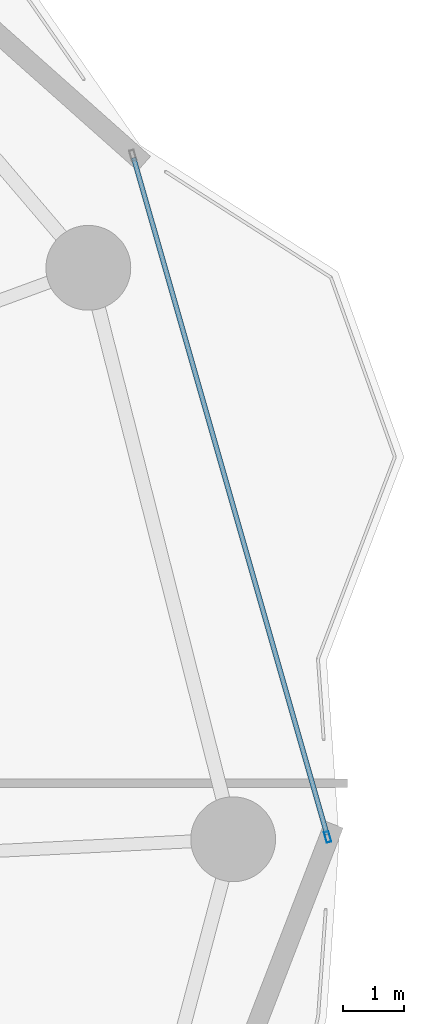
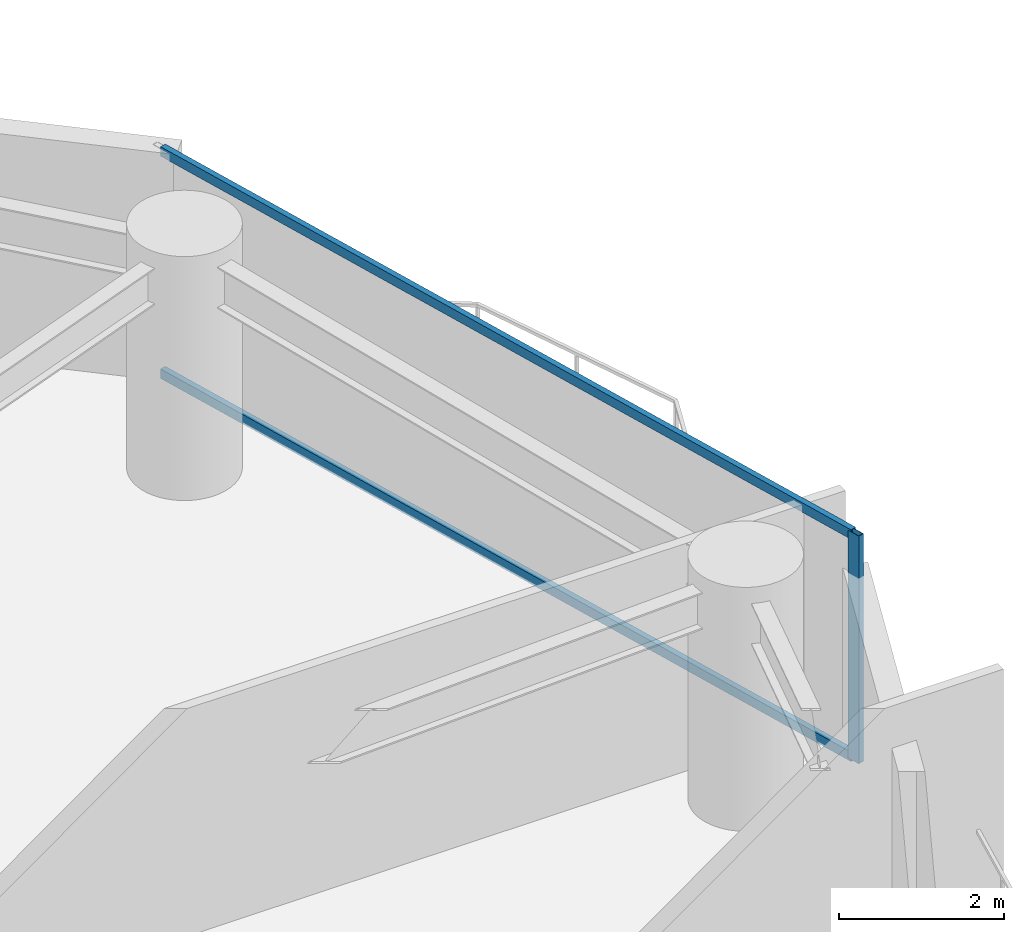
# One storey, part 24 of 32: 3 members, 1 element without a shape of its own.
"""IFC4 building model written with IfcOpenShell, lengths in metres."""

from ifc_helpers import new_model, si_unit, direction, frame, origin, origin_2d, place, context, subcontext, project, spatial, hollow_rectangle, extrude, material, layer, layer_set, material_profile, profile_set, type_object, element, aggregate, save


model = new_model("IFC4")

# Units and contexts
model_context = context("Model", 3, precision=1e-05, world=origin(), true_north=direction((0.0, 1.0)))
body_context = subcontext(model_context, "Body", "Model", "MODEL_VIEW")
ifc_project = project(units=[si_unit("LENGTHUNIT", "METRE"), si_unit("AREAUNIT", "SQUARE_METRE"), si_unit("VOLUMEUNIT", "CUBIC_METRE"), si_unit("PLANEANGLEUNIT", "RADIAN"), si_unit("MASSUNIT", "GRAM", prefix="KILO")], contexts=[model_context])

# Site, building, storey
site_placement = place(None, origin())
site = spatial("IfcSite", under=ifc_project, at=site_placement, CompositionType="ELEMENT")
building_placement = place(site_placement, origin())
building = spatial("IfcBuilding", under=site, at=building_placement, Name="Kazevale Care Tower and Concert Hall", CompositionType="ELEMENT")
storey_placement = place(building_placement, frame((0.0, 0.0, 85.199951171875)))
storey = spatial("IfcBuildingStorey", under=building, at=storey_placement, Name="L22", CompositionType="ELEMENT", Elevation=85.199951171875)

# Curtain wall, members
ifc_material_1 = material(Name="Aluminium 6063-T6 and Low-E Glass", Category="aluminium")
ifc_layer = layer(ifc_material_1, 0.179931640625)
ifc_layer_set = layer_set([ifc_layer], Name="Aluminium 6063-T6 and Low-E Glass")
curtain_wall_type = type_object("IfcCurtainWallType", Name="Waist & Upper Residential Curtain Wall CW-4", PredefinedType="NOTDEFINED", material=ifc_layer_set)
curtain_wall_placement = place(storey_placement, origin())
curtain_wall = element("IfcCurtainWall", 1, at=curtain_wall_placement, inside=storey, type_object=curtain_wall_type, Name="cw:L22:f18", PredefinedType="NOTDEFINED")
ifc_material_2 = material(Name="Aluminium 6063-T6", Category="aluminium")
ifc_material_profile_1 = material_profile(ifc_material_2, hollow_rectangle(XDim=0.080078125, YDim=0.179931640625, WallThickness=0.0048828125, at=origin_2d()), Name="ALU80x180x5")
ifc_profile_set_1 = profile_set([ifc_material_profile_1], Name="Aluminium 6063-T6")
member_type_1 = type_object("IfcMemberType", Name="CW-4 Mullion ALU80x180x5", PredefinedType="MULLION", material=ifc_profile_set_1)
member_1_placement = place(storey_placement, frame((78.009033203125, 38.03857421875, 0.0), z_axis=(0.0, 0.0, 1.0), x_axis=(0.961520742858, 0.274732344388, 0.0)))
member_1 = element("IfcMember", 2, at=member_1_placement, type_object=member_type_1, Name="CW-4 mullion 2", PredefinedType="MULLION", context=body_context, shape_type="SweptSolid", body=[
    extrude(hollow_rectangle(XDim=0.080078125, YDim=0.179931640625, WallThickness=0.0048828125, at=origin_2d()), origin(), (0.0, 0.0, 1.0), 3.360107421875),
])
ifc_material_profile_2 = material_profile(ifc_material_2, hollow_rectangle(XDim=0.080078125, YDim=0.139892578125, WallThickness=0.00390625, at=origin_2d()), Name="ALU80x140x4")
ifc_profile_set_2 = profile_set([ifc_material_profile_2], Name="Aluminium 6063-T6")
member_type_2 = type_object("IfcMemberType", Name="CW-4 Transom ALU80x140x4", PredefinedType="USERDEFINED", material=ifc_profile_set_2)
member_2_placement = place(storey_placement, frame((74.806884765625, 49.2451171875, 0.0400390625), z_axis=(0.274740560587, -0.961518395231, 0.0), x_axis=(0.961518395231, 0.274740560587, 0.0)))
member_2 = element("IfcMember", 3, at=member_2_placement, type_object=member_type_2, Name="CW-4 transom 1.1", ObjectType="TRANSOM", PredefinedType="USERDEFINED", context=body_context, shape_type="SweptSolid", body=[
    extrude(hollow_rectangle(XDim=0.080078125, YDim=0.139892578125, WallThickness=0.00390625, at=origin_2d()), origin(), (0.0, 0.0, 1.0), 11.615234375),
])
member_3_placement = place(storey_placement, frame((74.806884765625, 49.2451171875, 3.320068359375), z_axis=(0.274740560587, -0.961518395231, 0.0), x_axis=(0.961518395231, 0.274740560587, 0.0)))
member_3 = element("IfcMember", 4, at=member_3_placement, type_object=member_type_2, Name="CW-4 transom 1.2", ObjectType="TRANSOM", PredefinedType="USERDEFINED", context=body_context, shape_type="SweptSolid", body=[
    extrude(hollow_rectangle(XDim=0.080078125, YDim=0.139892578125, WallThickness=0.00390625, at=origin_2d()), origin(), (0.0, 0.0, 1.0), 11.615234375),
])
aggregate(curtain_wall, [member_1, member_2, member_3])

save(model, "model.ifc")
